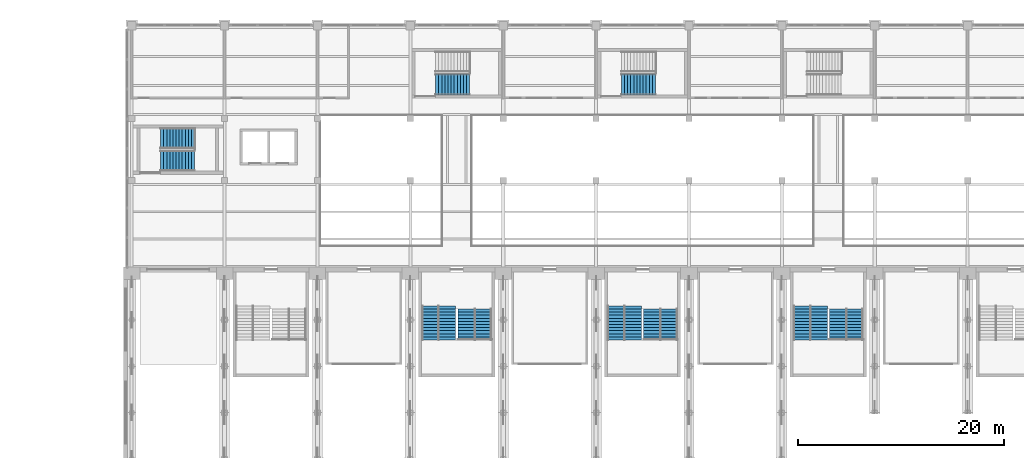
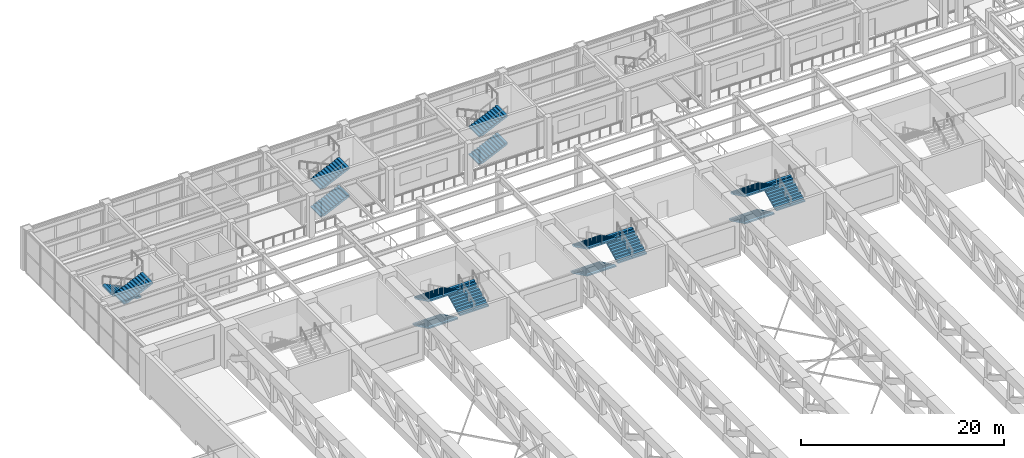
# One storey, part 49 of 76: 24 stair flights, 9 elements without a shape of their own.
"""IFC4 building model written with IfcOpenShell, lengths in metres."""

from ifc_helpers import new_model, si_unit, direction, frame, origin, place, context, subcontext, project, spatial, polyline, outline, extrude, material, type_object, element, aggregate, save


model = new_model("IFC4")

# Units and contexts
model_context = context("Model", 3, precision=1e-05, world=origin(), true_north=direction((0.0, 1.0)))
body_context = subcontext(model_context, "Body", "Model", "MODEL_VIEW")
ifc_project = project(units=[si_unit("LENGTHUNIT", "METRE"), si_unit("AREAUNIT", "SQUARE_METRE"), si_unit("VOLUMEUNIT", "CUBIC_METRE"), si_unit("PLANEANGLEUNIT", "RADIAN"), si_unit("MASSUNIT", "GRAM", prefix="KILO")], contexts=[model_context])

# Site, building, storey
site_placement = place(None, origin())
site = spatial("IfcSite", under=ifc_project, at=site_placement, CompositionType="ELEMENT")
building_placement = place(site_placement, origin())
building = spatial("IfcBuilding", under=site, at=building_placement, Name="Aravalli Gate Trade Fair Centre", CompositionType="ELEMENT")
storey_placement = place(building_placement, frame((0.0, 0.0, 10.0)))
storey = spatial("IfcBuildingStorey", under=building, at=storey_placement, Name="L02", CompositionType="ELEMENT", Elevation=10.0)

# Stair, stair flights
ifc_material_1 = material(Name="Concrete M30", Category="concrete")
stair_type_1 = type_object("IfcStairType", Name="Concourse stair, 2000 wide", PredefinedType="HALF_TURN_STAIR", material=ifc_material_1)
stair_1_placement = place(storey_placement, origin())
stair_1 = element("IfcStair", 1, at=stair_1_placement, inside=storey, type_object=stair_type_1, Name="Stair WS L02", PredefinedType="HALF_TURN_STAIR")
stair_flight_type_1 = type_object("IfcStairFlightType", Name="Concourse stair flight 2000", PredefinedType="STRAIGHT", material=ifc_material_1)
stair_flight_1_placement = place(storey_placement, frame((12.10009765625, 122.10009765625, 1.666748046875), z_axis=(0.0, 0.0, 1.0), x_axis=(-1.0, 0.0, 0.0)))
stair_flight_1 = element("IfcStairFlight", 2, at=stair_flight_1_placement, type_object=stair_flight_type_1, Name="STWS-L02 flight 2", NumberOfRisers=12, NumberOfTreads=11, PredefinedType="STRAIGHT", RiserHeight=0.138888889, TreadLength=0.3, context=body_context, shape_type="SweptSolid", body=[
    extrude(outline(polyline([(0.0, 0.0), (0.0, 0.138916015625), (0.300048828125, 0.138916015625), (0.300048828125, 0.27783203125), (0.60009765625, 0.27783203125), (0.60009765625, 0.416748046875), (0.89990234375, 0.416748046875), (0.89990234375, 0.5556640625), (1.199951171875, 0.5556640625), (1.199951171875, 0.6943359375), (1.5, 0.6943359375), (1.5, 0.833251953125), (1.800048828125, 0.833251953125), (1.800048828125, 0.97216796875), (2.10009765625, 0.97216796875), (2.10009765625, 1.111083984375), (2.39990234375, 1.111083984375), (2.39990234375, 1.25), (2.699951171875, 1.25), (2.699951171875, 1.388916015625), (3.0, 1.388916015625), (3.0, 1.52783203125), (3.300048828125, 1.52783203125), (3.300048828125, 1.666748046875), (3.300048828125, 1.307373046875), (0.475830078125, 0.0), (0.0, 0.0)])), frame((0.0, 1.0, 0.0), z_axis=(0.0, -1.0, 0.0), x_axis=(1.0, 0.0, 0.0)), (0.0, 0.0, 1.0), 2.0),
])
stair_flight_2_placement = place(storey_placement, frame((8.800048828125, 119.89990234375, 3.333251953125), z_axis=(0.0, 0.0, 1.0), x_axis=(1.0, 0.0, 0.0)))
stair_flight_2 = element("IfcStairFlight", 3, at=stair_flight_2_placement, type_object=stair_flight_type_1, Name="STWS-L02 flight 3", NumberOfRisers=12, NumberOfTreads=11, PredefinedType="STRAIGHT", RiserHeight=0.138888889, TreadLength=0.3, context=body_context, shape_type="SweptSolid", body=[
    extrude(outline(polyline([(0.0, 0.0), (0.0, 0.138916015625), (0.300048828125, 0.138916015625), (0.300048828125, 0.27783203125), (0.60009765625, 0.27783203125), (0.60009765625, 0.416748046875), (0.89990234375, 0.416748046875), (0.89990234375, 0.5556640625), (1.199951171875, 0.5556640625), (1.199951171875, 0.6943359375), (1.5, 0.6943359375), (1.5, 0.833251953125), (1.800048828125, 0.833251953125), (1.800048828125, 0.97216796875), (2.10009765625, 0.97216796875), (2.10009765625, 1.111083984375), (2.39990234375, 1.111083984375), (2.39990234375, 1.25), (2.699951171875, 1.25), (2.699951171875, 1.388916015625), (3.0, 1.388916015625), (3.0, 1.52783203125), (3.300048828125, 1.52783203125), (3.300048828125, 1.666748046875), (3.300048828125, 1.307373046875), (0.475830078125, 0.0), (0.0, 0.0)])), frame((0.0, 1.0, 0.0), z_axis=(0.0, -1.0, 0.0), x_axis=(1.0, 0.0, 0.0)), (0.0, 0.0, 1.0), 2.0),
])
aggregate(stair_1, [stair_flight_1, stair_flight_2])

stair_2_placement = place(storey_placement, origin())
stair_2 = element("IfcStair", 4, at=stair_2_placement, inside=storey, type_object=stair_type_1, Name="Stair XA L02", PredefinedType="HALF_TURN_STAIR")
stair_flight_3_placement = place(storey_placement, frame((35.449951171875, 127.300048828125, 0.0), z_axis=(0.0, 0.0, 1.0), x_axis=(1.0, 0.0, 0.0)))
stair_flight_3 = element("IfcStairFlight", 5, at=stair_flight_3_placement, type_object=stair_flight_type_1, Name="STXA-L02 flight 1", NumberOfRisers=12, NumberOfTreads=11, PredefinedType="STRAIGHT", RiserHeight=0.138888889, TreadLength=0.3, context=body_context, shape_type="SweptSolid", body=[
    extrude(outline(polyline([(0.0, 0.0), (0.0, 0.138916015625), (0.300048828125, 0.138916015625), (0.300048828125, 0.27783203125), (0.60009765625, 0.27783203125), (0.60009765625, 0.416748046875), (0.89990234375, 0.416748046875), (0.89990234375, 0.5556640625), (1.199951171875, 0.5556640625), (1.199951171875, 0.6943359375), (1.5, 0.6943359375), (1.5, 0.833251953125), (1.800048828125, 0.833251953125), (1.800048828125, 0.97216796875), (2.10009765625, 0.97216796875), (2.10009765625, 1.111083984375), (2.39990234375, 1.111083984375), (2.39990234375, 1.25), (2.699951171875, 1.25), (2.699951171875, 1.388916015625), (3.0, 1.388916015625), (3.0, 1.52783203125), (3.300048828125, 1.52783203125), (3.300048828125, 1.666748046875), (3.300048828125, 1.307373046875), (0.475830078125, 0.0), (0.0, 0.0)])), frame((0.0, 1.0, 0.0), z_axis=(0.0, -1.0, 0.0), x_axis=(1.0, 0.0, 0.0)), (0.0, 0.0, 1.0), 2.0),
])
stair_flight_4_placement = place(storey_placement, frame((35.449951171875, 127.300048828125, 3.333251953125), z_axis=(0.0, 0.0, 1.0), x_axis=(1.0, 0.0, 0.0)))
stair_flight_4 = element("IfcStairFlight", 6, at=stair_flight_4_placement, type_object=stair_flight_type_1, Name="STXA-L02 flight 3", NumberOfRisers=12, NumberOfTreads=11, PredefinedType="STRAIGHT", RiserHeight=0.138888889, TreadLength=0.3, context=body_context, shape_type="SweptSolid", body=[
    extrude(outline(polyline([(0.0, 0.0), (0.0, 0.138916015625), (0.300048828125, 0.138916015625), (0.300048828125, 0.27783203125), (0.60009765625, 0.27783203125), (0.60009765625, 0.416748046875), (0.89990234375, 0.416748046875), (0.89990234375, 0.5556640625), (1.199951171875, 0.5556640625), (1.199951171875, 0.6943359375), (1.5, 0.6943359375), (1.5, 0.833251953125), (1.800048828125, 0.833251953125), (1.800048828125, 0.97216796875), (2.10009765625, 0.97216796875), (2.10009765625, 1.111083984375), (2.39990234375, 1.111083984375), (2.39990234375, 1.25), (2.699951171875, 1.25), (2.699951171875, 1.388916015625), (3.0, 1.388916015625), (3.0, 1.52783203125), (3.300048828125, 1.52783203125), (3.300048828125, 1.666748046875), (3.300048828125, 1.307373046875), (0.475830078125, 0.0), (0.0, 0.0)])), frame((0.0, 1.0, 0.0), z_axis=(0.0, -1.0, 0.0), x_axis=(1.0, 0.0, 0.0)), (0.0, 0.0, 1.0), 2.0),
])
aggregate(stair_2, [stair_flight_3, stair_flight_4])

stair_3_placement = place(storey_placement, origin())
stair_3 = element("IfcStair", 7, at=stair_3_placement, inside=storey, type_object=stair_type_1, Name="Stair XB L02", PredefinedType="HALF_TURN_STAIR")
stair_flight_5_placement = place(storey_placement, frame((53.449951171875, 127.300048828125, 0.0), z_axis=(0.0, 0.0, 1.0), x_axis=(1.0, 0.0, 0.0)))
stair_flight_5 = element("IfcStairFlight", 8, at=stair_flight_5_placement, type_object=stair_flight_type_1, Name="STXB-L02 flight 1", NumberOfRisers=12, NumberOfTreads=11, PredefinedType="STRAIGHT", RiserHeight=0.138888889, TreadLength=0.3, context=body_context, shape_type="SweptSolid", body=[
    extrude(outline(polyline([(0.0, 0.0), (0.0, 0.138916015625), (0.300048828125, 0.138916015625), (0.300048828125, 0.27783203125), (0.60009765625, 0.27783203125), (0.60009765625, 0.416748046875), (0.89990234375, 0.416748046875), (0.89990234375, 0.5556640625), (1.199951171875, 0.5556640625), (1.199951171875, 0.6943359375), (1.5, 0.6943359375), (1.5, 0.833251953125), (1.800048828125, 0.833251953125), (1.800048828125, 0.97216796875), (2.10009765625, 0.97216796875), (2.10009765625, 1.111083984375), (2.39990234375, 1.111083984375), (2.39990234375, 1.25), (2.699951171875, 1.25), (2.699951171875, 1.388916015625), (3.0, 1.388916015625), (3.0, 1.52783203125), (3.300048828125, 1.52783203125), (3.300048828125, 1.666748046875), (3.300048828125, 1.307373046875), (0.475830078125, 0.0), (0.0, 0.0)])), frame((0.0, 1.0, 0.0), z_axis=(0.0, -1.0, 0.0), x_axis=(1.0, 0.0, 0.0)), (0.0, 0.0, 1.0), 2.0),
])
stair_flight_6_placement = place(storey_placement, frame((53.449951171875, 127.300048828125, 3.333251953125), z_axis=(0.0, 0.0, 1.0), x_axis=(1.0, 0.0, 0.0)))
stair_flight_6 = element("IfcStairFlight", 9, at=stair_flight_6_placement, type_object=stair_flight_type_1, Name="STXB-L02 flight 3", NumberOfRisers=12, NumberOfTreads=11, PredefinedType="STRAIGHT", RiserHeight=0.138888889, TreadLength=0.3, context=body_context, shape_type="SweptSolid", body=[
    extrude(outline(polyline([(0.0, 0.0), (0.0, 0.138916015625), (0.300048828125, 0.138916015625), (0.300048828125, 0.27783203125), (0.60009765625, 0.27783203125), (0.60009765625, 0.416748046875), (0.89990234375, 0.416748046875), (0.89990234375, 0.5556640625), (1.199951171875, 0.5556640625), (1.199951171875, 0.6943359375), (1.5, 0.6943359375), (1.5, 0.833251953125), (1.800048828125, 0.833251953125), (1.800048828125, 0.97216796875), (2.10009765625, 0.97216796875), (2.10009765625, 1.111083984375), (2.39990234375, 1.111083984375), (2.39990234375, 1.25), (2.699951171875, 1.25), (2.699951171875, 1.388916015625), (3.0, 1.388916015625), (3.0, 1.52783203125), (3.300048828125, 1.52783203125), (3.300048828125, 1.666748046875), (3.300048828125, 1.307373046875), (0.475830078125, 0.0), (0.0, 0.0)])), frame((0.0, 1.0, 0.0), z_axis=(0.0, -1.0, 0.0), x_axis=(1.0, 0.0, 0.0)), (0.0, 0.0, 1.0), 2.0),
])
aggregate(stair_3, [stair_flight_5, stair_flight_6])

ifc_material_2 = material(Name="Concrete M40", Category="concrete")
stair_type_2 = type_object("IfcStairType", Name="Hall exit stair, three flights", PredefinedType="HALF_TURN_STAIR", material=ifc_material_2)
stair_4_placement = place(storey_placement, origin())
stair_4 = element("IfcStair", 10, at=stair_4_placement, inside=storey, type_object=stair_type_2, Name="Exit stair ST-N04 lane A L02", PredefinedType="HALF_TURN_STAIR")
stair_flight_type_2 = type_object("IfcStairFlightType", Name="Hall exit stair flight", PredefinedType="STRAIGHT", material=ifc_material_2)
stair_flight_7_placement = place(storey_placement, frame((34.919921875, 105.85009765625, 0.0), z_axis=(0.0, 0.0, 1.0), x_axis=(0.0, -1.0, 0.0)))
stair_flight_7 = element("IfcStairFlight", 11, at=stair_flight_7_placement, type_object=stair_flight_type_2, Name="ST-N04A flight 1", NumberOfRisers=12, NumberOfTreads=11, PredefinedType="STRAIGHT", RiserHeight=0.147058824, TreadLength=0.3, context=body_context, shape_type="SweptSolid", body=[
    extrude(outline(polyline([(0.0, 0.0), (0.0, 0.14697265625), (0.300048828125, 0.14697265625), (0.300048828125, 0.294189453125), (0.60009765625, 0.294189453125), (0.60009765625, 0.441162109375), (0.89990234375, 0.441162109375), (0.89990234375, 0.588134765625), (1.199951171875, 0.588134765625), (1.199951171875, 0.7353515625), (1.5, 0.7353515625), (1.5, 0.88232421875), (1.800048828125, 0.88232421875), (1.800048828125, 1.029296875), (2.10009765625, 1.029296875), (2.10009765625, 1.176513671875), (2.39990234375, 1.176513671875), (2.39990234375, 1.323486328125), (2.699951171875, 1.323486328125), (2.699951171875, 1.470703125), (3.0, 1.470703125), (3.0, 1.61767578125), (3.300048828125, 1.61767578125), (3.300048828125, 1.7646484375), (3.300048828125, 1.45068359375), (0.340576171875, 0.0), (0.0, 0.0)])), frame((0.0, 0.81982421875, 0.0), z_axis=(0.0, -1.0, 0.0), x_axis=(1.0, 0.0, 0.0)), (0.0, 0.0, 1.0), 1.639892578125),
])
stair_flight_8_placement = place(storey_placement, frame((38.419921875, 102.550048828125, 1.7646484375), z_axis=(0.0, 0.0, 1.0), x_axis=(0.0, 1.0, 0.0)))
stair_flight_8 = element("IfcStairFlight", 12, at=stair_flight_8_placement, type_object=stair_flight_type_2, Name="ST-N04A flight 2", NumberOfRisers=11, NumberOfTreads=10, PredefinedType="STRAIGHT", RiserHeight=0.147058824, TreadLength=0.3, context=body_context, shape_type="SweptSolid", body=[
    extrude(outline(polyline([(0.0, 0.0), (0.0, 0.14697265625), (0.300048828125, 0.14697265625), (0.300048828125, 0.294189453125), (0.60009765625, 0.294189453125), (0.60009765625, 0.441162109375), (0.89990234375, 0.441162109375), (0.89990234375, 0.588134765625), (1.199951171875, 0.588134765625), (1.199951171875, 0.7353515625), (1.5, 0.7353515625), (1.5, 0.88232421875), (1.800048828125, 0.88232421875), (1.800048828125, 1.029296875), (2.10009765625, 1.029296875), (2.10009765625, 1.176513671875), (2.39990234375, 1.176513671875), (2.39990234375, 1.323486328125), (2.699951171875, 1.323486328125), (2.699951171875, 1.470703125), (3.0, 1.470703125), (3.0, 1.61767578125), (3.0, 1.3037109375), (0.340576171875, 0.0), (0.0, 0.0)])), frame((0.0, 0.81982421875, 0.0), z_axis=(0.0, -1.0, 0.0), x_axis=(1.0, 0.0, 0.0)), (0.0, 0.0, 1.0), 1.639892578125),
])
stair_flight_9_placement = place(storey_placement, frame((34.919921875, 105.550048828125, 3.38232421875), z_axis=(0.0, 0.0, 1.0), x_axis=(0.0, -1.0, 0.0)))
stair_flight_9 = element("IfcStairFlight", 13, at=stair_flight_9_placement, type_object=stair_flight_type_2, Name="ST-N04A flight 3", NumberOfRisers=11, NumberOfTreads=10, PredefinedType="STRAIGHT", RiserHeight=0.147058824, TreadLength=0.3, context=body_context, shape_type="SweptSolid", body=[
    extrude(outline(polyline([(0.0, 0.0), (0.0, 0.14697265625), (0.300048828125, 0.14697265625), (0.300048828125, 0.294189453125), (0.60009765625, 0.294189453125), (0.60009765625, 0.441162109375), (0.89990234375, 0.441162109375), (0.89990234375, 0.588134765625), (1.199951171875, 0.588134765625), (1.199951171875, 0.7353515625), (1.5, 0.7353515625), (1.5, 0.88232421875), (1.800048828125, 0.88232421875), (1.800048828125, 1.029296875), (2.10009765625, 1.029296875), (2.10009765625, 1.176513671875), (2.39990234375, 1.176513671875), (2.39990234375, 1.323486328125), (2.699951171875, 1.323486328125), (2.699951171875, 1.470703125), (3.0, 1.470703125), (3.0, 1.61767578125), (3.0, 1.3037109375), (0.340576171875, 0.0), (0.0, 0.0)])), frame((0.0, 0.81982421875, 0.0), z_axis=(0.0, -1.0, 0.0), x_axis=(1.0, 0.0, 0.0)), (0.0, 0.0, 1.0), 1.639892578125),
])
aggregate(stair_4, [stair_flight_7, stair_flight_8, stair_flight_9])

stair_5_placement = place(storey_placement, origin())
stair_5 = element("IfcStair", 14, at=stair_5_placement, inside=storey, type_object=stair_type_2, Name="Exit stair ST-N04 lane B L02", PredefinedType="HALF_TURN_STAIR")
stair_flight_10_placement = place(storey_placement, frame((36.580078125, 105.85009765625, 0.0), z_axis=(0.0, 0.0, 1.0), x_axis=(0.0, -1.0, 0.0)))
stair_flight_10 = element("IfcStairFlight", 15, at=stair_flight_10_placement, type_object=stair_flight_type_2, Name="ST-N04B flight 1", NumberOfRisers=12, NumberOfTreads=11, PredefinedType="STRAIGHT", RiserHeight=0.147058824, TreadLength=0.3, context=body_context, shape_type="SweptSolid", body=[
    extrude(outline(polyline([(0.0, 0.0), (0.0, 0.14697265625), (0.300048828125, 0.14697265625), (0.300048828125, 0.294189453125), (0.60009765625, 0.294189453125), (0.60009765625, 0.441162109375), (0.89990234375, 0.441162109375), (0.89990234375, 0.588134765625), (1.199951171875, 0.588134765625), (1.199951171875, 0.7353515625), (1.5, 0.7353515625), (1.5, 0.88232421875), (1.800048828125, 0.88232421875), (1.800048828125, 1.029296875), (2.10009765625, 1.029296875), (2.10009765625, 1.176513671875), (2.39990234375, 1.176513671875), (2.39990234375, 1.323486328125), (2.699951171875, 1.323486328125), (2.699951171875, 1.470703125), (3.0, 1.470703125), (3.0, 1.61767578125), (3.300048828125, 1.61767578125), (3.300048828125, 1.7646484375), (3.300048828125, 1.45068359375), (0.340576171875, 0.0), (0.0, 0.0)])), frame((0.0, 0.81982421875, 0.0), z_axis=(0.0, -1.0, 0.0), x_axis=(1.0, 0.0, 0.0)), (0.0, 0.0, 1.0), 1.639892578125),
])
stair_flight_11_placement = place(storey_placement, frame((40.080078125, 102.550048828125, 1.7646484375), z_axis=(0.0, 0.0, 1.0), x_axis=(0.0, 1.0, 0.0)))
stair_flight_11 = element("IfcStairFlight", 16, at=stair_flight_11_placement, type_object=stair_flight_type_2, Name="ST-N04B flight 2", NumberOfRisers=11, NumberOfTreads=10, PredefinedType="STRAIGHT", RiserHeight=0.147058824, TreadLength=0.3, context=body_context, shape_type="SweptSolid", body=[
    extrude(outline(polyline([(0.0, 0.0), (0.0, 0.14697265625), (0.300048828125, 0.14697265625), (0.300048828125, 0.294189453125), (0.60009765625, 0.294189453125), (0.60009765625, 0.441162109375), (0.89990234375, 0.441162109375), (0.89990234375, 0.588134765625), (1.199951171875, 0.588134765625), (1.199951171875, 0.7353515625), (1.5, 0.7353515625), (1.5, 0.88232421875), (1.800048828125, 0.88232421875), (1.800048828125, 1.029296875), (2.10009765625, 1.029296875), (2.10009765625, 1.176513671875), (2.39990234375, 1.176513671875), (2.39990234375, 1.323486328125), (2.699951171875, 1.323486328125), (2.699951171875, 1.470703125), (3.0, 1.470703125), (3.0, 1.61767578125), (3.0, 1.3037109375), (0.340576171875, 0.0), (0.0, 0.0)])), frame((0.0, 0.81982421875, 0.0), z_axis=(0.0, -1.0, 0.0), x_axis=(1.0, 0.0, 0.0)), (0.0, 0.0, 1.0), 1.639892578125),
])
stair_flight_12_placement = place(storey_placement, frame((36.580078125, 105.550048828125, 3.38232421875), z_axis=(0.0, 0.0, 1.0), x_axis=(0.0, -1.0, 0.0)))
stair_flight_12 = element("IfcStairFlight", 17, at=stair_flight_12_placement, type_object=stair_flight_type_2, Name="ST-N04B flight 3", NumberOfRisers=11, NumberOfTreads=10, PredefinedType="STRAIGHT", RiserHeight=0.147058824, TreadLength=0.3, context=body_context, shape_type="SweptSolid", body=[
    extrude(outline(polyline([(0.0, 0.0), (0.0, 0.14697265625), (0.300048828125, 0.14697265625), (0.300048828125, 0.294189453125), (0.60009765625, 0.294189453125), (0.60009765625, 0.441162109375), (0.89990234375, 0.441162109375), (0.89990234375, 0.588134765625), (1.199951171875, 0.588134765625), (1.199951171875, 0.7353515625), (1.5, 0.7353515625), (1.5, 0.88232421875), (1.800048828125, 0.88232421875), (1.800048828125, 1.029296875), (2.10009765625, 1.029296875), (2.10009765625, 1.176513671875), (2.39990234375, 1.176513671875), (2.39990234375, 1.323486328125), (2.699951171875, 1.323486328125), (2.699951171875, 1.470703125), (3.0, 1.470703125), (3.0, 1.61767578125), (3.0, 1.3037109375), (0.340576171875, 0.0), (0.0, 0.0)])), frame((0.0, 0.81982421875, 0.0), z_axis=(0.0, -1.0, 0.0), x_axis=(1.0, 0.0, 0.0)), (0.0, 0.0, 1.0), 1.639892578125),
])
aggregate(stair_5, [stair_flight_10, stair_flight_11, stair_flight_12])

stair_6_placement = place(storey_placement, origin())
stair_6 = element("IfcStair", 18, at=stair_6_placement, inside=storey, type_object=stair_type_2, Name="Exit stair ST-N06 lane A L02", PredefinedType="HALF_TURN_STAIR")
stair_flight_13_placement = place(storey_placement, frame((52.919921875, 105.85009765625, 0.0), z_axis=(0.0, 0.0, 1.0), x_axis=(0.0, -1.0, 0.0)))
stair_flight_13 = element("IfcStairFlight", 19, at=stair_flight_13_placement, type_object=stair_flight_type_2, Name="ST-N06A flight 1", NumberOfRisers=12, NumberOfTreads=11, PredefinedType="STRAIGHT", RiserHeight=0.147058824, TreadLength=0.3, context=body_context, shape_type="SweptSolid", body=[
    extrude(outline(polyline([(0.0, 0.0), (0.0, 0.14697265625), (0.300048828125, 0.14697265625), (0.300048828125, 0.294189453125), (0.60009765625, 0.294189453125), (0.60009765625, 0.441162109375), (0.89990234375, 0.441162109375), (0.89990234375, 0.588134765625), (1.199951171875, 0.588134765625), (1.199951171875, 0.7353515625), (1.5, 0.7353515625), (1.5, 0.88232421875), (1.800048828125, 0.88232421875), (1.800048828125, 1.029296875), (2.10009765625, 1.029296875), (2.10009765625, 1.176513671875), (2.39990234375, 1.176513671875), (2.39990234375, 1.323486328125), (2.699951171875, 1.323486328125), (2.699951171875, 1.470703125), (3.0, 1.470703125), (3.0, 1.61767578125), (3.300048828125, 1.61767578125), (3.300048828125, 1.7646484375), (3.300048828125, 1.45068359375), (0.340576171875, 0.0), (0.0, 0.0)])), frame((0.0, 0.81982421875, 0.0), z_axis=(0.0, -1.0, 0.0), x_axis=(1.0, 0.0, 0.0)), (0.0, 0.0, 1.0), 1.639892578125),
])
stair_flight_14_placement = place(storey_placement, frame((56.419921875, 102.550048828125, 1.7646484375), z_axis=(0.0, 0.0, 1.0), x_axis=(0.0, 1.0, 0.0)))
stair_flight_14 = element("IfcStairFlight", 20, at=stair_flight_14_placement, type_object=stair_flight_type_2, Name="ST-N06A flight 2", NumberOfRisers=11, NumberOfTreads=10, PredefinedType="STRAIGHT", RiserHeight=0.147058824, TreadLength=0.3, context=body_context, shape_type="SweptSolid", body=[
    extrude(outline(polyline([(0.0, 0.0), (0.0, 0.14697265625), (0.300048828125, 0.14697265625), (0.300048828125, 0.294189453125), (0.60009765625, 0.294189453125), (0.60009765625, 0.441162109375), (0.89990234375, 0.441162109375), (0.89990234375, 0.588134765625), (1.199951171875, 0.588134765625), (1.199951171875, 0.7353515625), (1.5, 0.7353515625), (1.5, 0.88232421875), (1.800048828125, 0.88232421875), (1.800048828125, 1.029296875), (2.10009765625, 1.029296875), (2.10009765625, 1.176513671875), (2.39990234375, 1.176513671875), (2.39990234375, 1.323486328125), (2.699951171875, 1.323486328125), (2.699951171875, 1.470703125), (3.0, 1.470703125), (3.0, 1.61767578125), (3.0, 1.3037109375), (0.340576171875, 0.0), (0.0, 0.0)])), frame((0.0, 0.81982421875, 0.0), z_axis=(0.0, -1.0, 0.0), x_axis=(1.0, 0.0, 0.0)), (0.0, 0.0, 1.0), 1.639892578125),
])
stair_flight_15_placement = place(storey_placement, frame((52.919921875, 105.550048828125, 3.38232421875), z_axis=(0.0, 0.0, 1.0), x_axis=(0.0, -1.0, 0.0)))
stair_flight_15 = element("IfcStairFlight", 21, at=stair_flight_15_placement, type_object=stair_flight_type_2, Name="ST-N06A flight 3", NumberOfRisers=11, NumberOfTreads=10, PredefinedType="STRAIGHT", RiserHeight=0.147058824, TreadLength=0.3, context=body_context, shape_type="SweptSolid", body=[
    extrude(outline(polyline([(0.0, 0.0), (0.0, 0.14697265625), (0.300048828125, 0.14697265625), (0.300048828125, 0.294189453125), (0.60009765625, 0.294189453125), (0.60009765625, 0.441162109375), (0.89990234375, 0.441162109375), (0.89990234375, 0.588134765625), (1.199951171875, 0.588134765625), (1.199951171875, 0.7353515625), (1.5, 0.7353515625), (1.5, 0.88232421875), (1.800048828125, 0.88232421875), (1.800048828125, 1.029296875), (2.10009765625, 1.029296875), (2.10009765625, 1.176513671875), (2.39990234375, 1.176513671875), (2.39990234375, 1.323486328125), (2.699951171875, 1.323486328125), (2.699951171875, 1.470703125), (3.0, 1.470703125), (3.0, 1.61767578125), (3.0, 1.3037109375), (0.340576171875, 0.0), (0.0, 0.0)])), frame((0.0, 0.81982421875, 0.0), z_axis=(0.0, -1.0, 0.0), x_axis=(1.0, 0.0, 0.0)), (0.0, 0.0, 1.0), 1.639892578125),
])
aggregate(stair_6, [stair_flight_13, stair_flight_14, stair_flight_15])

stair_7_placement = place(storey_placement, origin())
stair_7 = element("IfcStair", 22, at=stair_7_placement, inside=storey, type_object=stair_type_2, Name="Exit stair ST-N06 lane B L02", PredefinedType="HALF_TURN_STAIR")
stair_flight_16_placement = place(storey_placement, frame((54.580078125, 105.85009765625, 0.0), z_axis=(0.0, 0.0, 1.0), x_axis=(0.0, -1.0, 0.0)))
stair_flight_16 = element("IfcStairFlight", 23, at=stair_flight_16_placement, type_object=stair_flight_type_2, Name="ST-N06B flight 1", NumberOfRisers=12, NumberOfTreads=11, PredefinedType="STRAIGHT", RiserHeight=0.147058824, TreadLength=0.3, context=body_context, shape_type="SweptSolid", body=[
    extrude(outline(polyline([(0.0, 0.0), (0.0, 0.14697265625), (0.300048828125, 0.14697265625), (0.300048828125, 0.294189453125), (0.60009765625, 0.294189453125), (0.60009765625, 0.441162109375), (0.89990234375, 0.441162109375), (0.89990234375, 0.588134765625), (1.199951171875, 0.588134765625), (1.199951171875, 0.7353515625), (1.5, 0.7353515625), (1.5, 0.88232421875), (1.800048828125, 0.88232421875), (1.800048828125, 1.029296875), (2.10009765625, 1.029296875), (2.10009765625, 1.176513671875), (2.39990234375, 1.176513671875), (2.39990234375, 1.323486328125), (2.699951171875, 1.323486328125), (2.699951171875, 1.470703125), (3.0, 1.470703125), (3.0, 1.61767578125), (3.300048828125, 1.61767578125), (3.300048828125, 1.7646484375), (3.300048828125, 1.45068359375), (0.340576171875, 0.0), (0.0, 0.0)])), frame((0.0, 0.81982421875, 0.0), z_axis=(0.0, -1.0, 0.0), x_axis=(1.0, 0.0, 0.0)), (0.0, 0.0, 1.0), 1.639892578125),
])
stair_flight_17_placement = place(storey_placement, frame((58.080078125, 102.550048828125, 1.7646484375), z_axis=(0.0, 0.0, 1.0), x_axis=(0.0, 1.0, 0.0)))
stair_flight_17 = element("IfcStairFlight", 24, at=stair_flight_17_placement, type_object=stair_flight_type_2, Name="ST-N06B flight 2", NumberOfRisers=11, NumberOfTreads=10, PredefinedType="STRAIGHT", RiserHeight=0.147058824, TreadLength=0.3, context=body_context, shape_type="SweptSolid", body=[
    extrude(outline(polyline([(0.0, 0.0), (0.0, 0.14697265625), (0.300048828125, 0.14697265625), (0.300048828125, 0.294189453125), (0.60009765625, 0.294189453125), (0.60009765625, 0.441162109375), (0.89990234375, 0.441162109375), (0.89990234375, 0.588134765625), (1.199951171875, 0.588134765625), (1.199951171875, 0.7353515625), (1.5, 0.7353515625), (1.5, 0.88232421875), (1.800048828125, 0.88232421875), (1.800048828125, 1.029296875), (2.10009765625, 1.029296875), (2.10009765625, 1.176513671875), (2.39990234375, 1.176513671875), (2.39990234375, 1.323486328125), (2.699951171875, 1.323486328125), (2.699951171875, 1.470703125), (3.0, 1.470703125), (3.0, 1.61767578125), (3.0, 1.3037109375), (0.340576171875, 0.0), (0.0, 0.0)])), frame((0.0, 0.81982421875, 0.0), z_axis=(0.0, -1.0, 0.0), x_axis=(1.0, 0.0, 0.0)), (0.0, 0.0, 1.0), 1.639892578125),
])
stair_flight_18_placement = place(storey_placement, frame((54.580078125, 105.550048828125, 3.38232421875), z_axis=(0.0, 0.0, 1.0), x_axis=(0.0, -1.0, 0.0)))
stair_flight_18 = element("IfcStairFlight", 25, at=stair_flight_18_placement, type_object=stair_flight_type_2, Name="ST-N06B flight 3", NumberOfRisers=11, NumberOfTreads=10, PredefinedType="STRAIGHT", RiserHeight=0.147058824, TreadLength=0.3, context=body_context, shape_type="SweptSolid", body=[
    extrude(outline(polyline([(0.0, 0.0), (0.0, 0.14697265625), (0.300048828125, 0.14697265625), (0.300048828125, 0.294189453125), (0.60009765625, 0.294189453125), (0.60009765625, 0.441162109375), (0.89990234375, 0.441162109375), (0.89990234375, 0.588134765625), (1.199951171875, 0.588134765625), (1.199951171875, 0.7353515625), (1.5, 0.7353515625), (1.5, 0.88232421875), (1.800048828125, 0.88232421875), (1.800048828125, 1.029296875), (2.10009765625, 1.029296875), (2.10009765625, 1.176513671875), (2.39990234375, 1.176513671875), (2.39990234375, 1.323486328125), (2.699951171875, 1.323486328125), (2.699951171875, 1.470703125), (3.0, 1.470703125), (3.0, 1.61767578125), (3.0, 1.3037109375), (0.340576171875, 0.0), (0.0, 0.0)])), frame((0.0, 0.81982421875, 0.0), z_axis=(0.0, -1.0, 0.0), x_axis=(1.0, 0.0, 0.0)), (0.0, 0.0, 1.0), 1.639892578125),
])
aggregate(stair_7, [stair_flight_16, stair_flight_17, stair_flight_18])

stair_8_placement = place(storey_placement, origin())
stair_8 = element("IfcStair", 26, at=stair_8_placement, inside=storey, type_object=stair_type_2, Name="Exit stair ST-N08 lane A L02", PredefinedType="HALF_TURN_STAIR")
stair_flight_19_placement = place(storey_placement, frame((70.919921875, 105.85009765625, 0.0), z_axis=(0.0, 0.0, 1.0), x_axis=(0.0, -1.0, 0.0)))
stair_flight_19 = element("IfcStairFlight", 27, at=stair_flight_19_placement, type_object=stair_flight_type_2, Name="ST-N08A flight 1", NumberOfRisers=12, NumberOfTreads=11, PredefinedType="STRAIGHT", RiserHeight=0.147058824, TreadLength=0.3, context=body_context, shape_type="SweptSolid", body=[
    extrude(outline(polyline([(0.0, 0.0), (0.0, 0.14697265625), (0.300048828125, 0.14697265625), (0.300048828125, 0.294189453125), (0.60009765625, 0.294189453125), (0.60009765625, 0.441162109375), (0.89990234375, 0.441162109375), (0.89990234375, 0.588134765625), (1.199951171875, 0.588134765625), (1.199951171875, 0.7353515625), (1.5, 0.7353515625), (1.5, 0.88232421875), (1.800048828125, 0.88232421875), (1.800048828125, 1.029296875), (2.10009765625, 1.029296875), (2.10009765625, 1.176513671875), (2.39990234375, 1.176513671875), (2.39990234375, 1.323486328125), (2.699951171875, 1.323486328125), (2.699951171875, 1.470703125), (3.0, 1.470703125), (3.0, 1.61767578125), (3.300048828125, 1.61767578125), (3.300048828125, 1.7646484375), (3.300048828125, 1.45068359375), (0.340576171875, 0.0), (0.0, 0.0)])), frame((0.0, 0.81982421875, 0.0), z_axis=(0.0, -1.0, 0.0), x_axis=(1.0, 0.0, 0.0)), (0.0, 0.0, 1.0), 1.639892578125),
])
stair_flight_20_placement = place(storey_placement, frame((74.419921875, 102.550048828125, 1.7646484375), z_axis=(0.0, 0.0, 1.0), x_axis=(0.0, 1.0, 0.0)))
stair_flight_20 = element("IfcStairFlight", 28, at=stair_flight_20_placement, type_object=stair_flight_type_2, Name="ST-N08A flight 2", NumberOfRisers=11, NumberOfTreads=10, PredefinedType="STRAIGHT", RiserHeight=0.147058824, TreadLength=0.3, context=body_context, shape_type="SweptSolid", body=[
    extrude(outline(polyline([(0.0, 0.0), (0.0, 0.14697265625), (0.300048828125, 0.14697265625), (0.300048828125, 0.294189453125), (0.60009765625, 0.294189453125), (0.60009765625, 0.441162109375), (0.89990234375, 0.441162109375), (0.89990234375, 0.588134765625), (1.199951171875, 0.588134765625), (1.199951171875, 0.7353515625), (1.5, 0.7353515625), (1.5, 0.88232421875), (1.800048828125, 0.88232421875), (1.800048828125, 1.029296875), (2.10009765625, 1.029296875), (2.10009765625, 1.176513671875), (2.39990234375, 1.176513671875), (2.39990234375, 1.323486328125), (2.699951171875, 1.323486328125), (2.699951171875, 1.470703125), (3.0, 1.470703125), (3.0, 1.61767578125), (3.0, 1.3037109375), (0.340576171875, 0.0), (0.0, 0.0)])), frame((0.0, 0.81982421875, 0.0), z_axis=(0.0, -1.0, 0.0), x_axis=(1.0, 0.0, 0.0)), (0.0, 0.0, 1.0), 1.639892578125),
])
stair_flight_21_placement = place(storey_placement, frame((70.919921875, 105.550048828125, 3.38232421875), z_axis=(0.0, 0.0, 1.0), x_axis=(0.0, -1.0, 0.0)))
stair_flight_21 = element("IfcStairFlight", 29, at=stair_flight_21_placement, type_object=stair_flight_type_2, Name="ST-N08A flight 3", NumberOfRisers=11, NumberOfTreads=10, PredefinedType="STRAIGHT", RiserHeight=0.147058824, TreadLength=0.3, context=body_context, shape_type="SweptSolid", body=[
    extrude(outline(polyline([(0.0, 0.0), (0.0, 0.14697265625), (0.300048828125, 0.14697265625), (0.300048828125, 0.294189453125), (0.60009765625, 0.294189453125), (0.60009765625, 0.441162109375), (0.89990234375, 0.441162109375), (0.89990234375, 0.588134765625), (1.199951171875, 0.588134765625), (1.199951171875, 0.7353515625), (1.5, 0.7353515625), (1.5, 0.88232421875), (1.800048828125, 0.88232421875), (1.800048828125, 1.029296875), (2.10009765625, 1.029296875), (2.10009765625, 1.176513671875), (2.39990234375, 1.176513671875), (2.39990234375, 1.323486328125), (2.699951171875, 1.323486328125), (2.699951171875, 1.470703125), (3.0, 1.470703125), (3.0, 1.61767578125), (3.0, 1.3037109375), (0.340576171875, 0.0), (0.0, 0.0)])), frame((0.0, 0.81982421875, 0.0), z_axis=(0.0, -1.0, 0.0), x_axis=(1.0, 0.0, 0.0)), (0.0, 0.0, 1.0), 1.639892578125),
])
aggregate(stair_8, [stair_flight_19, stair_flight_20, stair_flight_21])

stair_9_placement = place(storey_placement, origin())
stair_9 = element("IfcStair", 30, at=stair_9_placement, inside=storey, type_object=stair_type_2, Name="Exit stair ST-N08 lane B L02", PredefinedType="HALF_TURN_STAIR")
stair_flight_22_placement = place(storey_placement, frame((72.580078125, 105.85009765625, 0.0), z_axis=(0.0, 0.0, 1.0), x_axis=(0.0, -1.0, 0.0)))
stair_flight_22 = element("IfcStairFlight", 31, at=stair_flight_22_placement, type_object=stair_flight_type_2, Name="ST-N08B flight 1", NumberOfRisers=12, NumberOfTreads=11, PredefinedType="STRAIGHT", RiserHeight=0.147058824, TreadLength=0.3, context=body_context, shape_type="SweptSolid", body=[
    extrude(outline(polyline([(0.0, 0.0), (0.0, 0.14697265625), (0.300048828125, 0.14697265625), (0.300048828125, 0.294189453125), (0.60009765625, 0.294189453125), (0.60009765625, 0.441162109375), (0.89990234375, 0.441162109375), (0.89990234375, 0.588134765625), (1.199951171875, 0.588134765625), (1.199951171875, 0.7353515625), (1.5, 0.7353515625), (1.5, 0.88232421875), (1.800048828125, 0.88232421875), (1.800048828125, 1.029296875), (2.10009765625, 1.029296875), (2.10009765625, 1.176513671875), (2.39990234375, 1.176513671875), (2.39990234375, 1.323486328125), (2.699951171875, 1.323486328125), (2.699951171875, 1.470703125), (3.0, 1.470703125), (3.0, 1.61767578125), (3.300048828125, 1.61767578125), (3.300048828125, 1.7646484375), (3.300048828125, 1.45068359375), (0.340576171875, 0.0), (0.0, 0.0)])), frame((0.0, 0.81982421875, 0.0), z_axis=(0.0, -1.0, 0.0), x_axis=(1.0, 0.0, 0.0)), (0.0, 0.0, 1.0), 1.639892578125),
])
stair_flight_23_placement = place(storey_placement, frame((76.080078125, 102.550048828125, 1.7646484375), z_axis=(0.0, 0.0, 1.0), x_axis=(0.0, 1.0, 0.0)))
stair_flight_23 = element("IfcStairFlight", 32, at=stair_flight_23_placement, type_object=stair_flight_type_2, Name="ST-N08B flight 2", NumberOfRisers=11, NumberOfTreads=10, PredefinedType="STRAIGHT", RiserHeight=0.147058824, TreadLength=0.3, context=body_context, shape_type="SweptSolid", body=[
    extrude(outline(polyline([(0.0, 0.0), (0.0, 0.14697265625), (0.300048828125, 0.14697265625), (0.300048828125, 0.294189453125), (0.60009765625, 0.294189453125), (0.60009765625, 0.441162109375), (0.89990234375, 0.441162109375), (0.89990234375, 0.588134765625), (1.199951171875, 0.588134765625), (1.199951171875, 0.7353515625), (1.5, 0.7353515625), (1.5, 0.88232421875), (1.800048828125, 0.88232421875), (1.800048828125, 1.029296875), (2.10009765625, 1.029296875), (2.10009765625, 1.176513671875), (2.39990234375, 1.176513671875), (2.39990234375, 1.323486328125), (2.699951171875, 1.323486328125), (2.699951171875, 1.470703125), (3.0, 1.470703125), (3.0, 1.61767578125), (3.0, 1.3037109375), (0.340576171875, 0.0), (0.0, 0.0)])), frame((0.0, 0.81982421875, 0.0), z_axis=(0.0, -1.0, 0.0), x_axis=(1.0, 0.0, 0.0)), (0.0, 0.0, 1.0), 1.639892578125),
])
stair_flight_24_placement = place(storey_placement, frame((72.580078125, 105.550048828125, 3.38232421875), z_axis=(0.0, 0.0, 1.0), x_axis=(0.0, -1.0, 0.0)))
stair_flight_24 = element("IfcStairFlight", 33, at=stair_flight_24_placement, type_object=stair_flight_type_2, Name="ST-N08B flight 3", NumberOfRisers=11, NumberOfTreads=10, PredefinedType="STRAIGHT", RiserHeight=0.147058824, TreadLength=0.3, context=body_context, shape_type="SweptSolid", body=[
    extrude(outline(polyline([(0.0, 0.0), (0.0, 0.14697265625), (0.300048828125, 0.14697265625), (0.300048828125, 0.294189453125), (0.60009765625, 0.294189453125), (0.60009765625, 0.441162109375), (0.89990234375, 0.441162109375), (0.89990234375, 0.588134765625), (1.199951171875, 0.588134765625), (1.199951171875, 0.7353515625), (1.5, 0.7353515625), (1.5, 0.88232421875), (1.800048828125, 0.88232421875), (1.800048828125, 1.029296875), (2.10009765625, 1.029296875), (2.10009765625, 1.176513671875), (2.39990234375, 1.176513671875), (2.39990234375, 1.323486328125), (2.699951171875, 1.323486328125), (2.699951171875, 1.470703125), (3.0, 1.470703125), (3.0, 1.61767578125), (3.0, 1.3037109375), (0.340576171875, 0.0), (0.0, 0.0)])), frame((0.0, 0.81982421875, 0.0), z_axis=(0.0, -1.0, 0.0), x_axis=(1.0, 0.0, 0.0)), (0.0, 0.0, 1.0), 1.639892578125),
])
aggregate(stair_9, [stair_flight_22, stair_flight_23, stair_flight_24])

save(model, "model.ifc")
